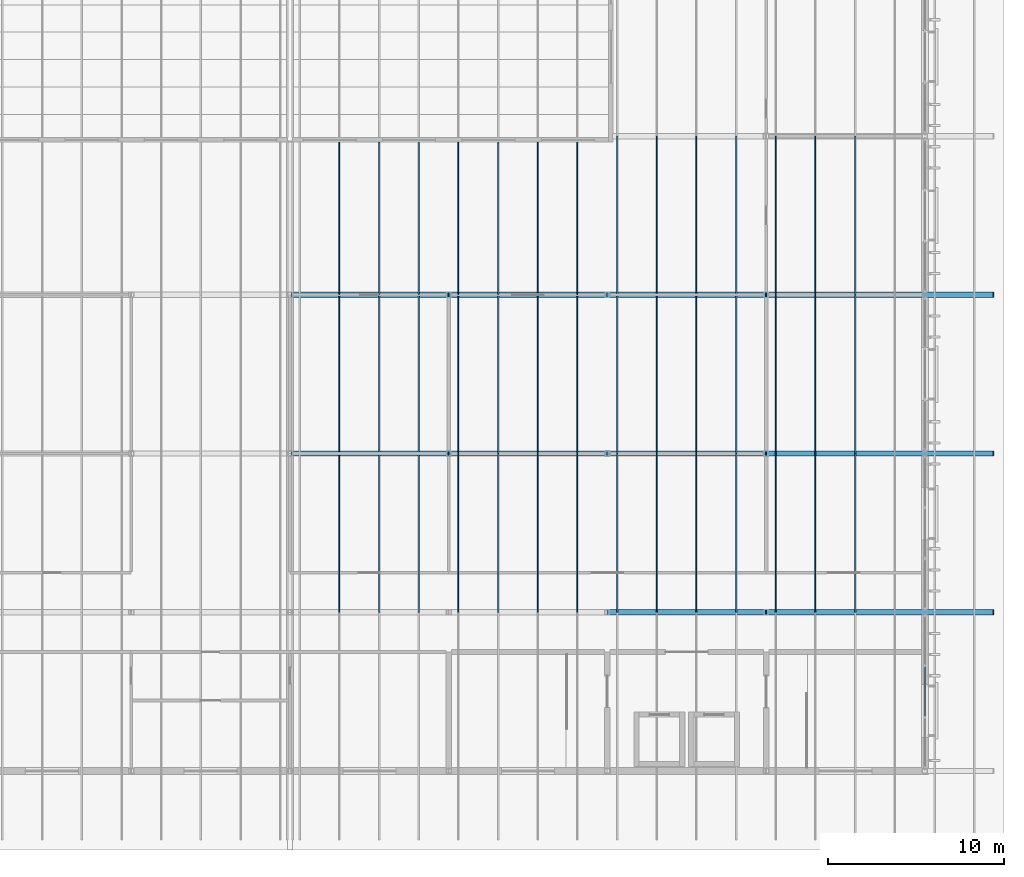
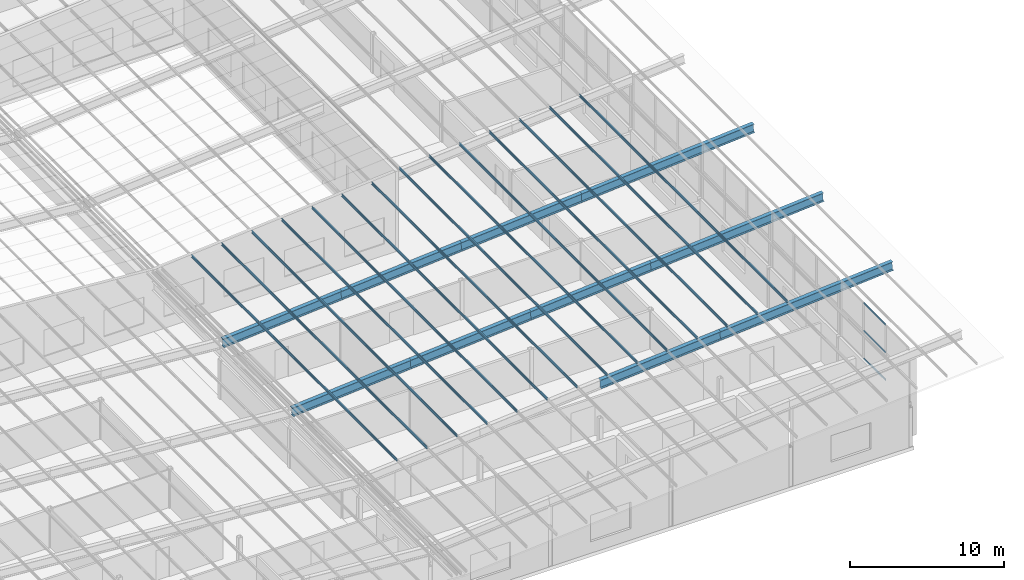
# One storey, part 41 of 85: 55 members, 1 element without a shape of its own.
"""IFC4 building model written with IfcOpenShell, lengths in metres."""

from ifc_helpers import new_model, si_unit, direction, frame, origin, origin_2d, place, context, subcontext, project, spatial, polyline, hollow_rectangle, i_section, outline, extrude, material, layer, layer_set, material_profile, profile_set, type_object, element, aggregate, save


model = new_model("IFC4")

# Units and contexts
model_context = context("Model", 3, precision=1e-05, world=origin(), true_north=direction((0.0, 1.0)))
body_context = subcontext(model_context, "Body", "Model", "MODEL_VIEW")
ifc_project = project(units=[si_unit("LENGTHUNIT", "METRE"), si_unit("AREAUNIT", "SQUARE_METRE"), si_unit("VOLUMEUNIT", "CUBIC_METRE"), si_unit("PLANEANGLEUNIT", "RADIAN"), si_unit("MASSUNIT", "GRAM", prefix="KILO")], contexts=[model_context])

# Site, building, storey
site_placement = place(None, origin())
site = spatial("IfcSite", under=ifc_project, at=site_placement, CompositionType="ELEMENT")
building_placement = place(site_placement, origin())
building = spatial("IfcBuilding", under=site, at=building_placement, Name="Opaline Strait Convention Centre", CompositionType="ELEMENT")
storey_placement = place(building_placement, frame((0.0, 0.0, 17.0)))
storey = spatial("IfcBuildingStorey", under=building, at=storey_placement, Name="L03", CompositionType="ELEMENT", Elevation=17.0)

# Curtain wall, members
ifc_material_1 = material(Name="Aluminium framed double glazing", Category="aluminium")
ifc_layer = layer(ifc_material_1, 0.199951171875)
ifc_layer_set = layer_set([ifc_layer], Name="Aluminium framed double glazing")
curtain_wall_type = type_object("IfcCurtainWallType", Name="Curtain wall 3000 module unitised", PredefinedType="NOTDEFINED", material=ifc_layer_set)
curtain_wall_placement = place(storey_placement, origin())
curtain_wall = element("IfcCurtainWall", 1, at=curtain_wall_placement, inside=storey, type_object=curtain_wall_type, Name="Clerestory curtain wall E L03 41/L", PredefinedType="NOTDEFINED")
ifc_material_2 = material(Name="Aluminium alloy 6063", Category="aluminium")
ifc_material_profile_1 = material_profile(ifc_material_2, hollow_rectangle(XDim=0.06005859375, YDim=0.1201171875, WallThickness=0.0029296875, at=origin_2d()), Name="TRANSOM 60x120x3")
ifc_profile_set_1 = profile_set([ifc_material_profile_1], Name="Aluminium alloy 6063")
member_type_1 = type_object("IfcMemberType", Name="Curtain wall transom 60 x 120", PredefinedType="USERDEFINED", material=ifc_profile_set_1)
member_1_placement = place(storey_placement, frame((360.0, 93.080078125, 3.330078125), z_axis=(0.0, 1.0, 0.0), x_axis=(-1.0, 0.0, 0.0)))
member_1 = element("IfcMember", 2, at=member_1_placement, type_object=member_type_1, Name="MCWR1 transom 2.1", ObjectType="TRANSOM", PredefinedType="USERDEFINED", context=body_context, shape_type="SweptSolid", body=[
    extrude(hollow_rectangle(XDim=0.06005859375, YDim=0.1201171875, WallThickness=0.0029296875, at=origin_2d()), origin(), (0.0, 0.0, 1.0), 2.83984375),
])
member_2_placement = place(storey_placement, frame((360.0, 93.080078125, 5.51806640625), z_axis=(0.0, 1.0, 0.0), x_axis=(-1.0, 0.0, 0.0)))
member_2 = element("IfcMember", 3, at=member_2_placement, type_object=member_type_1, Name="MCWR1 transom 2.2", ObjectType="TRANSOM", PredefinedType="USERDEFINED", context=body_context, shape_type="SweptSolid", body=[
    extrude(hollow_rectangle(XDim=0.06005859375, YDim=0.1201171875, WallThickness=0.0029296875, at=origin_2d()), origin(), (0.0, 0.0, 1.0), 2.83984375),
])
member_3_placement = place(storey_placement, frame((360.0, 93.080078125, 7.7060546875), z_axis=(0.0, 1.0, 0.0), x_axis=(-1.0, 0.0, 0.0)))
member_3 = element("IfcMember", 4, at=member_3_placement, type_object=member_type_1, Name="MCWR1 transom 2.3", ObjectType="TRANSOM", PredefinedType="USERDEFINED", context=body_context, shape_type="SweptSolid", body=[
    extrude(hollow_rectangle(XDim=0.06005859375, YDim=0.1201171875, WallThickness=0.0029296875, at=origin_2d()), origin(), (0.0, 0.0, 1.0), 2.83984375),
])
aggregate(curtain_wall, [member_1, member_2, member_3])

# Members
ifc_material_3 = material(Name="Steel Q355B", Category="steel")
ifc_material_profile_2 = material_profile(ifc_material_3, outline(polyline([(-0.034912109375, -0.10009765625), (0.034912109375, -0.10009765625), (0.034912109375, -0.080078125), (0.032470703125, -0.080078125), (0.032470703125, -0.097412109375), (-0.032470703125, -0.097412109375), (-0.032470703125, 0.097412109375), (0.032470703125, 0.097412109375), (0.032470703125, 0.080078125), (0.034912109375, 0.080078125), (0.034912109375, 0.10009765625), (-0.034912109375, 0.10009765625), (-0.034912109375, -0.10009765625)])), Name="C 200x70x20x2.5")
ifc_profile_set_2 = profile_set([ifc_material_profile_2], Name="Steel Q355B")
member_type_2 = type_object("IfcMemberType", Name="Roof purlin C 200x70x20x2.5", PredefinedType="PURLIN", material=ifc_profile_set_2)
for number, where, z_axis, x_axis, name in (
    (5, (326.800048828125, 99.0, 5.02294921875), (0.0, 1.0, 0.0), (-0.996917333733, 0.0, 0.078459095728), "MRP1 purlin E wing 232"),
    (6, (326.800048828125, 108.0, 5.02294921875), (0.0, 1.0, 0.0), (-0.996917333733, 0.0, 0.078459095728), "MRP1 purlin E wing 233"),
):
    element("IfcMember", number, at=place(storey_placement, frame(where, z_axis=z_axis, x_axis=x_axis)), inside=storey, type_object=member_type_2, Name=name, PredefinedType="PURLIN", context=body_context, shape_type="SweptSolid", body=[
        extrude(outline(polyline([(-0.034912109375, -0.10009765625), (0.034912109375, -0.10009765625), (0.034912109375, -0.080078125), (0.032470703125, -0.080078125), (0.032470703125, -0.097412109375), (-0.032470703125, -0.097412109375), (-0.032470703125, 0.097412109375), (0.032470703125, 0.097412109375), (0.032470703125, 0.080078125), (0.034912109375, 0.080078125), (0.034912109375, 0.10009765625), (-0.034912109375, 0.10009765625), (-0.034912109375, -0.10009765625)])), origin(), (0.0, 0.0, 1.0), 9.0),
    ])
member_4_placement = place(storey_placement, frame((326.800048828125, 117.0, 5.02294921875), z_axis=(0.0, 1.0, 0.0), x_axis=(-0.996917333733, 0.0, 0.078459095728)))
element("IfcMember", 7, at=member_4_placement, inside=storey, type_object=member_type_2, Name="MRP1 purlin E wing 234", PredefinedType="PURLIN", context=body_context, shape_type="SweptSolid", body=[
    extrude(outline(polyline([(-0.034912109375, -0.10009765625), (0.034912109375, -0.10009765625), (0.034912109375, -0.080078125), (0.032470703125, -0.080078125), (0.032470703125, -0.097412109375), (-0.032470703125, -0.097412109375), (-0.032470703125, 0.097412109375), (0.032470703125, 0.097412109375), (0.032470703125, 0.080078125), (0.034912109375, 0.080078125), (0.034912109375, 0.10009765625), (-0.034912109375, 0.10009765625), (-0.034912109375, -0.10009765625)])), origin(), (0.0, 0.0, 1.0), 8.675048828125),
])
for number, where, z_axis, x_axis, name in (
    (8, (329.050048828125, 99.0, 5.199951171875), (0.0, 1.0, 0.0), (-0.996917333733, 0.0, 0.078459095728), "MRP1 purlin E wing 242"),
    (9, (329.050048828125, 108.0, 5.199951171875), (0.0, 1.0, 0.0), (-0.996917333733, 0.0, 0.078459095728), "MRP1 purlin E wing 243"),
):
    element("IfcMember", number, at=place(storey_placement, frame(where, z_axis=z_axis, x_axis=x_axis)), inside=storey, type_object=member_type_2, Name=name, PredefinedType="PURLIN", context=body_context, shape_type="SweptSolid", body=[
        extrude(outline(polyline([(-0.034912109375, -0.10009765625), (0.034912109375, -0.10009765625), (0.034912109375, -0.080078125), (0.032470703125, -0.080078125), (0.032470703125, -0.097412109375), (-0.032470703125, -0.097412109375), (-0.032470703125, 0.097412109375), (0.032470703125, 0.097412109375), (0.032470703125, 0.080078125), (0.034912109375, 0.080078125), (0.034912109375, 0.10009765625), (-0.034912109375, 0.10009765625), (-0.034912109375, -0.10009765625)])), origin(), (0.0, 0.0, 1.0), 9.0),
    ])
member_5_placement = place(storey_placement, frame((329.050048828125, 117.0, 5.199951171875), z_axis=(0.0, 1.0, 0.0), x_axis=(-0.996917333733, 0.0, 0.078459095728)))
element("IfcMember", 10, at=member_5_placement, inside=storey, type_object=member_type_2, Name="MRP1 purlin E wing 244", PredefinedType="PURLIN", context=body_context, shape_type="SweptSolid", body=[
    extrude(outline(polyline([(-0.034912109375, -0.10009765625), (0.034912109375, -0.10009765625), (0.034912109375, -0.080078125), (0.032470703125, -0.080078125), (0.032470703125, -0.097412109375), (-0.032470703125, -0.097412109375), (-0.032470703125, 0.097412109375), (0.032470703125, 0.097412109375), (0.032470703125, 0.080078125), (0.034912109375, 0.080078125), (0.034912109375, 0.10009765625), (-0.034912109375, 0.10009765625), (-0.034912109375, -0.10009765625)])), origin(), (0.0, 0.0, 1.0), 8.675048828125),
])
for number, where, z_axis, x_axis, name in (
    (11, (331.300048828125, 99.0, 5.376953125), (0.0, 1.0, 0.0), (-0.996917333733, 0.0, 0.078459095728), "MRP1 purlin E wing 252"),
    (12, (331.300048828125, 108.0, 5.376953125), (0.0, 1.0, 0.0), (-0.996917333733, 0.0, 0.078459095728), "MRP1 purlin E wing 253"),
):
    element("IfcMember", number, at=place(storey_placement, frame(where, z_axis=z_axis, x_axis=x_axis)), inside=storey, type_object=member_type_2, Name=name, PredefinedType="PURLIN", context=body_context, shape_type="SweptSolid", body=[
        extrude(outline(polyline([(-0.034912109375, -0.10009765625), (0.034912109375, -0.10009765625), (0.034912109375, -0.080078125), (0.032470703125, -0.080078125), (0.032470703125, -0.097412109375), (-0.032470703125, -0.097412109375), (-0.032470703125, 0.097412109375), (0.032470703125, 0.097412109375), (0.032470703125, 0.080078125), (0.034912109375, 0.080078125), (0.034912109375, 0.10009765625), (-0.034912109375, 0.10009765625), (-0.034912109375, -0.10009765625)])), origin(), (0.0, 0.0, 1.0), 9.0),
    ])
member_6_placement = place(storey_placement, frame((331.300048828125, 117.0, 5.376953125), z_axis=(0.0, 1.0, 0.0), x_axis=(-0.996917333733, 0.0, 0.078459095728)))
element("IfcMember", 13, at=member_6_placement, inside=storey, type_object=member_type_2, Name="MRP1 purlin E wing 254", PredefinedType="PURLIN", context=body_context, shape_type="SweptSolid", body=[
    extrude(outline(polyline([(-0.034912109375, -0.10009765625), (0.034912109375, -0.10009765625), (0.034912109375, -0.080078125), (0.032470703125, -0.080078125), (0.032470703125, -0.097412109375), (-0.032470703125, -0.097412109375), (-0.032470703125, 0.097412109375), (0.032470703125, 0.097412109375), (0.032470703125, 0.080078125), (0.034912109375, 0.080078125), (0.034912109375, 0.10009765625), (-0.034912109375, 0.10009765625), (-0.034912109375, -0.10009765625)])), origin(), (0.0, 0.0, 1.0), 8.675048828125),
])
for number, where, z_axis, x_axis, name in (
    (14, (333.550048828125, 99.0, 5.553955078125), (0.0, 1.0, 0.0), (-0.996917333733, 0.0, 0.078459095728), "MRP1 purlin E wing 262"),
    (15, (333.550048828125, 108.0, 5.553955078125), (0.0, 1.0, 0.0), (-0.996917333733, 0.0, 0.078459095728), "MRP1 purlin E wing 263"),
):
    element("IfcMember", number, at=place(storey_placement, frame(where, z_axis=z_axis, x_axis=x_axis)), inside=storey, type_object=member_type_2, Name=name, PredefinedType="PURLIN", context=body_context, shape_type="SweptSolid", body=[
        extrude(outline(polyline([(-0.034912109375, -0.10009765625), (0.034912109375, -0.10009765625), (0.034912109375, -0.080078125), (0.032470703125, -0.080078125), (0.032470703125, -0.097412109375), (-0.032470703125, -0.097412109375), (-0.032470703125, 0.097412109375), (0.032470703125, 0.097412109375), (0.032470703125, 0.080078125), (0.034912109375, 0.080078125), (0.034912109375, 0.10009765625), (-0.034912109375, 0.10009765625), (-0.034912109375, -0.10009765625)])), origin(), (0.0, 0.0, 1.0), 9.0),
    ])
member_7_placement = place(storey_placement, frame((333.550048828125, 117.0, 5.553955078125), z_axis=(0.0, 1.0, 0.0), x_axis=(-0.996917333733, 0.0, 0.078459095728)))
element("IfcMember", 16, at=member_7_placement, inside=storey, type_object=member_type_2, Name="MRP1 purlin E wing 264", PredefinedType="PURLIN", context=body_context, shape_type="SweptSolid", body=[
    extrude(outline(polyline([(-0.034912109375, -0.10009765625), (0.034912109375, -0.10009765625), (0.034912109375, -0.080078125), (0.032470703125, -0.080078125), (0.032470703125, -0.097412109375), (-0.032470703125, -0.097412109375), (-0.032470703125, 0.097412109375), (0.032470703125, 0.097412109375), (0.032470703125, 0.080078125), (0.034912109375, 0.080078125), (0.034912109375, 0.10009765625), (-0.034912109375, 0.10009765625), (-0.034912109375, -0.10009765625)])), origin(), (0.0, 0.0, 1.0), 8.675048828125),
])
for number, where, z_axis, x_axis, name in (
    (17, (335.800048828125, 99.0, 5.731201171875), (0.0, 1.0, 0.0), (-0.996917333733, 0.0, 0.078459095728), "MRP1 purlin E wing 272"),
    (18, (335.800048828125, 108.0, 5.731201171875), (0.0, 1.0, 0.0), (-0.996917333733, 0.0, 0.078459095728), "MRP1 purlin E wing 273"),
):
    element("IfcMember", number, at=place(storey_placement, frame(where, z_axis=z_axis, x_axis=x_axis)), inside=storey, type_object=member_type_2, Name=name, PredefinedType="PURLIN", context=body_context, shape_type="SweptSolid", body=[
        extrude(outline(polyline([(-0.034912109375, -0.10009765625), (0.034912109375, -0.10009765625), (0.034912109375, -0.080078125), (0.032470703125, -0.080078125), (0.032470703125, -0.097412109375), (-0.032470703125, -0.097412109375), (-0.032470703125, 0.097412109375), (0.032470703125, 0.097412109375), (0.032470703125, 0.080078125), (0.034912109375, 0.080078125), (0.034912109375, 0.10009765625), (-0.034912109375, 0.10009765625), (-0.034912109375, -0.10009765625)])), origin(), (0.0, 0.0, 1.0), 9.0),
    ])
member_8_placement = place(storey_placement, frame((335.800048828125, 117.0, 5.731201171875), z_axis=(0.0, 1.0, 0.0), x_axis=(-0.996917333733, 0.0, 0.078459095728)))
element("IfcMember", 19, at=member_8_placement, inside=storey, type_object=member_type_2, Name="MRP1 purlin E wing 274", PredefinedType="PURLIN", context=body_context, shape_type="SweptSolid", body=[
    extrude(outline(polyline([(-0.034912109375, -0.10009765625), (0.034912109375, -0.10009765625), (0.034912109375, -0.080078125), (0.032470703125, -0.080078125), (0.032470703125, -0.097412109375), (-0.032470703125, -0.097412109375), (-0.032470703125, 0.097412109375), (0.032470703125, 0.097412109375), (0.032470703125, 0.080078125), (0.034912109375, 0.080078125), (0.034912109375, 0.10009765625), (-0.034912109375, 0.10009765625), (-0.034912109375, -0.10009765625)])), origin(), (0.0, 0.0, 1.0), 8.675048828125),
])
for number, where, z_axis, x_axis, name in (
    (20, (338.050048828125, 99.0, 5.908203125), (0.0, 1.0, 0.0), (-0.996917333733, 0.0, 0.078459095728), "MRP1 purlin E wing 282"),
    (21, (338.050048828125, 108.0, 5.908203125), (0.0, 1.0, 0.0), (-0.996917333733, 0.0, 0.078459095728), "MRP1 purlin E wing 283"),
):
    element("IfcMember", number, at=place(storey_placement, frame(where, z_axis=z_axis, x_axis=x_axis)), inside=storey, type_object=member_type_2, Name=name, PredefinedType="PURLIN", context=body_context, shape_type="SweptSolid", body=[
        extrude(outline(polyline([(-0.034912109375, -0.10009765625), (0.034912109375, -0.10009765625), (0.034912109375, -0.080078125), (0.032470703125, -0.080078125), (0.032470703125, -0.097412109375), (-0.032470703125, -0.097412109375), (-0.032470703125, 0.097412109375), (0.032470703125, 0.097412109375), (0.032470703125, 0.080078125), (0.034912109375, 0.080078125), (0.034912109375, 0.10009765625), (-0.034912109375, 0.10009765625), (-0.034912109375, -0.10009765625)])), origin(), (0.0, 0.0, 1.0), 9.0),
    ])
member_9_placement = place(storey_placement, frame((338.050048828125, 117.0, 5.908203125), z_axis=(0.0, 1.0, 0.0), x_axis=(-0.996917333733, 0.0, 0.078459095728)))
element("IfcMember", 22, at=member_9_placement, inside=storey, type_object=member_type_2, Name="MRP1 purlin E wing 284", PredefinedType="PURLIN", context=body_context, shape_type="SweptSolid", body=[
    extrude(outline(polyline([(-0.034912109375, -0.10009765625), (0.034912109375, -0.10009765625), (0.034912109375, -0.080078125), (0.032470703125, -0.080078125), (0.032470703125, -0.097412109375), (-0.032470703125, -0.097412109375), (-0.032470703125, 0.097412109375), (0.032470703125, 0.097412109375), (0.032470703125, 0.080078125), (0.034912109375, 0.080078125), (0.034912109375, 0.10009765625), (-0.034912109375, 0.10009765625), (-0.034912109375, -0.10009765625)])), origin(), (0.0, 0.0, 1.0), 8.675048828125),
])
for number, where, z_axis, x_axis, name in (
    (23, (340.300048828125, 99.0, 6.085205078125), (0.0, 1.0, 0.0), (-0.996917333733, 0.0, 0.078459095728), "MRP1 purlin E wing 292"),
    (24, (340.300048828125, 108.0, 6.085205078125), (0.0, 1.0, 0.0), (-0.996917333733, 0.0, 0.078459095728), "MRP1 purlin E wing 293"),
):
    element("IfcMember", number, at=place(storey_placement, frame(where, z_axis=z_axis, x_axis=x_axis)), inside=storey, type_object=member_type_2, Name=name, PredefinedType="PURLIN", context=body_context, shape_type="SweptSolid", body=[
        extrude(outline(polyline([(-0.034912109375, -0.10009765625), (0.034912109375, -0.10009765625), (0.034912109375, -0.080078125), (0.032470703125, -0.080078125), (0.032470703125, -0.097412109375), (-0.032470703125, -0.097412109375), (-0.032470703125, 0.097412109375), (0.032470703125, 0.097412109375), (0.032470703125, 0.080078125), (0.034912109375, 0.080078125), (0.034912109375, 0.10009765625), (-0.034912109375, 0.10009765625), (-0.034912109375, -0.10009765625)])), origin(), (0.0, 0.0, 1.0), 9.0),
    ])
member_10_placement = place(storey_placement, frame((340.300048828125, 117.0, 6.085205078125), z_axis=(0.0, 1.0, 0.0), x_axis=(-0.996917333733, 0.0, 0.078459095728)))
element("IfcMember", 25, at=member_10_placement, inside=storey, type_object=member_type_2, Name="MRP1 purlin E wing 294", PredefinedType="PURLIN", context=body_context, shape_type="SweptSolid", body=[
    extrude(outline(polyline([(-0.034912109375, -0.10009765625), (0.034912109375, -0.10009765625), (0.034912109375, -0.080078125), (0.032470703125, -0.080078125), (0.032470703125, -0.097412109375), (-0.032470703125, -0.097412109375), (-0.032470703125, 0.097412109375), (0.032470703125, 0.097412109375), (0.032470703125, 0.080078125), (0.034912109375, 0.080078125), (0.034912109375, 0.10009765625), (-0.034912109375, 0.10009765625), (-0.034912109375, -0.10009765625)])), origin(), (0.0, 0.0, 1.0), 8.675048828125),
])
for number, where, z_axis, x_axis, name in (
    (26, (342.550048828125, 99.0, 6.262451171875), (0.0, 1.0, 0.0), (-0.996917333733, 0.0, 0.078459095728), "MRP1 purlin E wing 302"),
    (27, (342.550048828125, 108.0, 6.262451171875), (0.0, 1.0, 0.0), (-0.996917333733, 0.0, 0.078459095728), "MRP1 purlin E wing 303"),
    (28, (342.550048828125, 117.0, 6.262451171875), (0.0, 1.0, 0.0), (-0.996917333733, 0.0, 0.078459095728), "MRP1 purlin E wing 304"),
    (29, (344.800048828125, 99.0, 6.439453125), (0.0, 1.0, 0.0), (-0.996917333733, 0.0, 0.078459095728), "MRP1 purlin E wing 312"),
    (30, (344.800048828125, 108.0, 6.439453125), (0.0, 1.0, 0.0), (-0.996917333733, 0.0, 0.078459095728), "MRP1 purlin E wing 313"),
    (31, (344.800048828125, 117.0, 6.439453125), (0.0, 1.0, 0.0), (-0.996917333733, 0.0, 0.078459095728), "MRP1 purlin E wing 314"),
    (32, (347.050048828125, 99.0, 6.616455078125), (0.0, 1.0, 0.0), (-0.996917333733, 0.0, 0.078459095728), "MRP1 purlin E wing 322"),
    (33, (347.050048828125, 108.0, 6.616455078125), (0.0, 1.0, 0.0), (-0.996917333733, 0.0, 0.078459095728), "MRP1 purlin E wing 323"),
    (34, (347.050048828125, 117.0, 6.616455078125), (0.0, 1.0, 0.0), (-0.996917333733, 0.0, 0.078459095728), "MRP1 purlin E wing 324"),
    (35, (349.300048828125, 99.0, 6.793701171875), (0.0, 1.0, 0.0), (-0.996917333733, 0.0, 0.078459095728), "MRP1 purlin E wing 332"),
    (36, (349.300048828125, 108.0, 6.793701171875), (0.0, 1.0, 0.0), (-0.996917333733, 0.0, 0.078459095728), "MRP1 purlin E wing 333"),
    (37, (349.300048828125, 117.0, 6.793701171875), (0.0, 1.0, 0.0), (-0.996917333733, 0.0, 0.078459095728), "MRP1 purlin E wing 334"),
    (38, (351.550048828125, 99.0, 6.970703125), (0.0, 1.0, 0.0), (-0.996917333733, 0.0, 0.078459095728), "MRP1 purlin E wing 342"),
    (39, (351.550048828125, 108.0, 6.970703125), (0.0, 1.0, 0.0), (-0.996917333733, 0.0, 0.078459095728), "MRP1 purlin E wing 343"),
    (40, (351.550048828125, 117.0, 6.970703125), (0.0, 1.0, 0.0), (-0.996917333733, 0.0, 0.078459095728), "MRP1 purlin E wing 344"),
    (41, (353.800048828125, 99.0, 7.147705078125), (0.0, 1.0, 0.0), (-0.996917333733, 0.0, 0.078459095728), "MRP1 purlin E wing 352"),
    (42, (353.800048828125, 108.0, 7.147705078125), (0.0, 1.0, 0.0), (-0.996917333733, 0.0, 0.078459095728), "MRP1 purlin E wing 353"),
    (43, (353.800048828125, 117.0, 7.147705078125), (0.0, 1.0, 0.0), (-0.996917333733, 0.0, 0.078459095728), "MRP1 purlin E wing 354"),
    (44, (356.050048828125, 99.0, 7.324951171875), (0.0, 1.0, 0.0), (-0.996917333733, 0.0, 0.078459095728), "MRP1 purlin E wing 362"),
    (45, (356.050048828125, 108.0, 7.324951171875), (0.0, 1.0, 0.0), (-0.996917333733, 0.0, 0.078459095728), "MRP1 purlin E wing 363"),
    (46, (356.050048828125, 117.0, 7.324951171875), (0.0, 1.0, 0.0), (-0.996917333733, 0.0, 0.078459095728), "MRP1 purlin E wing 364"),
):
    element("IfcMember", number, at=place(storey_placement, frame(where, z_axis=z_axis, x_axis=x_axis)), inside=storey, type_object=member_type_2, Name=name, PredefinedType="PURLIN", context=body_context, shape_type="SweptSolid", body=[
        extrude(outline(polyline([(-0.034912109375, -0.10009765625), (0.034912109375, -0.10009765625), (0.034912109375, -0.080078125), (0.032470703125, -0.080078125), (0.032470703125, -0.097412109375), (-0.032470703125, -0.097412109375), (-0.032470703125, 0.097412109375), (0.032470703125, 0.097412109375), (0.032470703125, 0.080078125), (0.034912109375, 0.080078125), (0.034912109375, 0.10009765625), (-0.034912109375, 0.10009765625), (-0.034912109375, -0.10009765625)])), origin(), (0.0, 0.0, 1.0), 9.0),
    ])
ifc_material_profile_3 = material_profile(ifc_material_3, i_section(OverallWidth=0.300048828125, OverallDepth=0.699951171875, WebThickness=0.012939453125, FlangeThickness=0.02392578125, FilletRadius=0.01806640625, at=origin_2d()), Name="HN 700x300x13x24")
ifc_profile_set_3 = profile_set([ifc_material_profile_3], Name="Steel Q355B")
member_type_3 = type_object("IfcMemberType", Name="Roof rafter HN 700x300x13x24", PredefinedType="RAFTER", material=ifc_profile_set_3)
member_11_placement = place(storey_placement, frame((342.0, 99.0, 5.767822265625), z_axis=(0.996917883079, 0.0, 0.078452115311), x_axis=(0.0, 1.0, 0.0)))
element("IfcMember", 47, at=member_11_placement, inside=storey, type_object=member_type_3, Name="MRR1 rafter y 99", PredefinedType="RAFTER", context=body_context, shape_type="SweptSolid", body=[
    extrude(i_section(OverallWidth=0.300048828125, OverallDepth=0.699951171875, WebThickness=0.012939453125, FlangeThickness=0.02392578125, FilletRadius=0.01806640625, at=origin_2d()), origin(), (0.0, 0.0, 1.0), 9.02783203125),
])
member_12_placement = place(storey_placement, frame((351.0, 99.0, 6.47607421875), z_axis=(0.996917984192, 0.0, 0.07845083043), x_axis=(0.0, 1.0, 0.0)))
element("IfcMember", 48, at=member_12_placement, inside=storey, type_object=member_type_3, Name="MRR1 rafter y 99", PredefinedType="RAFTER", context=body_context, shape_type="SweptSolid", body=[
    extrude(i_section(OverallWidth=0.300048828125, OverallDepth=0.699951171875, WebThickness=0.012939453125, FlangeThickness=0.02392578125, FilletRadius=0.01806640625, at=origin_2d()), origin(), (0.0, 0.0, 1.0), 12.939697265625),
])
member_13_placement = place(storey_placement, frame((324.10009765625, 108.0, 4.35888671875), z_axis=(0.996917316665, 0.0, 0.0784593126), x_axis=(0.0, 1.0, 0.0)))
element("IfcMember", 49, at=member_13_placement, inside=storey, type_object=member_type_3, Name="MRR1 rafter y 108", PredefinedType="RAFTER", context=body_context, shape_type="SweptSolid", body=[
    extrude(i_section(OverallWidth=0.300048828125, OverallDepth=0.699951171875, WebThickness=0.012939453125, FlangeThickness=0.02392578125, FilletRadius=0.01806640625, at=origin_2d()), origin(), (0.0, 0.0, 1.0), 8.927490234375),
])
for number, where, z_axis, x_axis, name in (
    (50, (333.0, 108.0, 5.059326171875), (0.99691576767, 0.0, 0.07847899191), (0.0, 1.0, 0.0), "MRR1 rafter y 108"),
    (51, (342.0, 108.0, 5.767822265625), (0.996917883079, 0.0, 0.078452115311), (0.0, 1.0, 0.0), "MRR1 rafter y 108"),
):
    element("IfcMember", number, at=place(storey_placement, frame(where, z_axis=z_axis, x_axis=x_axis)), inside=storey, type_object=member_type_3, Name=name, PredefinedType="RAFTER", context=body_context, shape_type="SweptSolid", body=[
        extrude(i_section(OverallWidth=0.300048828125, OverallDepth=0.699951171875, WebThickness=0.012939453125, FlangeThickness=0.02392578125, FilletRadius=0.01806640625, at=origin_2d()), origin(), (0.0, 0.0, 1.0), 9.02783203125),
    ])
member_14_placement = place(storey_placement, frame((351.0, 108.0, 6.47607421875), z_axis=(0.996917984192, 0.0, 0.07845083043), x_axis=(0.0, 1.0, 0.0)))
element("IfcMember", 52, at=member_14_placement, inside=storey, type_object=member_type_3, Name="MRR1 rafter y 108", PredefinedType="RAFTER", context=body_context, shape_type="SweptSolid", body=[
    extrude(i_section(OverallWidth=0.300048828125, OverallDepth=0.699951171875, WebThickness=0.012939453125, FlangeThickness=0.02392578125, FilletRadius=0.01806640625, at=origin_2d()), origin(), (0.0, 0.0, 1.0), 12.939697265625),
])
member_15_placement = place(storey_placement, frame((324.10009765625, 117.0, 4.35888671875), z_axis=(0.996917316665, 0.0, 0.0784593126), x_axis=(0.0, 1.0, 0.0)))
element("IfcMember", 53, at=member_15_placement, inside=storey, type_object=member_type_3, Name="MRR1 rafter y 117", PredefinedType="RAFTER", context=body_context, shape_type="SweptSolid", body=[
    extrude(i_section(OverallWidth=0.300048828125, OverallDepth=0.699951171875, WebThickness=0.012939453125, FlangeThickness=0.02392578125, FilletRadius=0.01806640625, at=origin_2d()), origin(), (0.0, 0.0, 1.0), 8.927490234375),
])
for number, where, z_axis, x_axis, name in (
    (54, (333.0, 117.0, 5.059326171875), (0.99691576767, 0.0, 0.07847899191), (0.0, 1.0, 0.0), "MRR1 rafter y 117"),
    (55, (342.0, 117.0, 5.767822265625), (0.996917883079, 0.0, 0.078452115311), (0.0, 1.0, 0.0), "MRR1 rafter y 117"),
):
    element("IfcMember", number, at=place(storey_placement, frame(where, z_axis=z_axis, x_axis=x_axis)), inside=storey, type_object=member_type_3, Name=name, PredefinedType="RAFTER", context=body_context, shape_type="SweptSolid", body=[
        extrude(i_section(OverallWidth=0.300048828125, OverallDepth=0.699951171875, WebThickness=0.012939453125, FlangeThickness=0.02392578125, FilletRadius=0.01806640625, at=origin_2d()), origin(), (0.0, 0.0, 1.0), 9.02783203125),
    ])
member_16_placement = place(storey_placement, frame((351.0, 117.0, 6.47607421875), z_axis=(0.996917984192, 0.0, 0.07845083043), x_axis=(0.0, 1.0, 0.0)))
element("IfcMember", 56, at=member_16_placement, inside=storey, type_object=member_type_3, Name="MRR1 rafter y 117", PredefinedType="RAFTER", context=body_context, shape_type="SweptSolid", body=[
    extrude(i_section(OverallWidth=0.300048828125, OverallDepth=0.699951171875, WebThickness=0.012939453125, FlangeThickness=0.02392578125, FilletRadius=0.01806640625, at=origin_2d()), origin(), (0.0, 0.0, 1.0), 12.939697265625),
])

save(model, "model.ifc")
